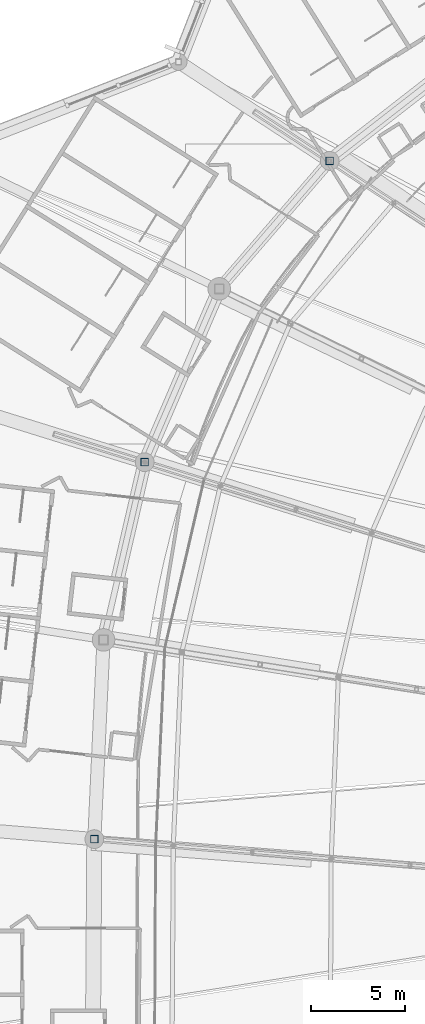
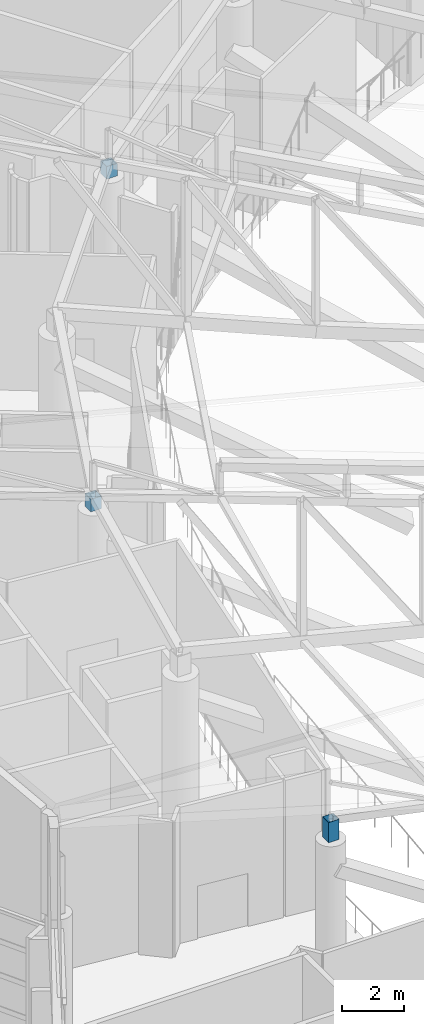
# One storey, part 217 of 344: 3 members.
"""IFC4 building model written with IfcOpenShell, lengths in metres."""

from ifc_helpers import new_model, si_unit, direction, frame, origin, origin_2d, place, context, subcontext, project, spatial, hollow_rectangle, extrude, material, material_profile, profile_set, type_object, element, save


model = new_model("IFC4")

# Units and contexts
model_context = context("Model", 3, precision=1e-05, world=origin(), true_north=direction((0.0, 1.0)))
body_context = subcontext(model_context, "Body", "Model", "MODEL_VIEW")
ifc_project = project(units=[si_unit("LENGTHUNIT", "METRE"), si_unit("AREAUNIT", "SQUARE_METRE"), si_unit("VOLUMEUNIT", "CUBIC_METRE"), si_unit("PLANEANGLEUNIT", "RADIAN"), si_unit("MASSUNIT", "GRAM", prefix="KILO")], contexts=[model_context])

# Site, building, storey
site_placement = place(None, origin())
site = spatial("IfcSite", under=ifc_project, at=site_placement, CompositionType="ELEMENT")
building_placement = place(site_placement, origin())
building = spatial("IfcBuilding", under=site, at=building_placement, Name="Meseta Stadium", CompositionType="ELEMENT")
storey_placement = place(building_placement, frame((0.0, 0.0, 24.0)))
storey = spatial("IfcBuildingStorey", under=building, at=storey_placement, Name="L04", CompositionType="ELEMENT", Elevation=24.0)

# Members
ifc_material = material(Name="Steel S355", Category="steel")
ifc_material_profile = material_profile(ifc_material, hollow_rectangle(XDim=0.39990234375, YDim=0.39990234375, WallThickness=0.010009765625, at=origin_2d()), Name="SHS 400x400x10")
ifc_profile_set = profile_set([ifc_material_profile], Name="Steel S355")
member_type = type_object("IfcMemberType", Name="SHS 400x400x10 pedestal", PredefinedType="POST", material=ifc_profile_set)
member_1_placement = place(storey_placement, frame((-72.31201171875, 79.091064453125, 6.0), z_axis=(0.0, 0.0, 1.0), x_axis=(1.0, 0.0, 0.0)))
element("IfcMember", 1, at=member_1_placement, inside=storey, type_object=member_type, Name="ROOF TRUSS RT-25 pedestal", PredefinedType="POST", context=body_context, shape_type="SweptSolid", body=[
    extrude(hollow_rectangle(XDim=0.39990234375, YDim=0.39990234375, WallThickness=0.010009765625, at=origin_2d()), origin(), (0.0, 0.0, 1.0), 0.501220703125),
])
member_2_placement = place(storey_placement, frame((-82.169189453125, 63.03369140625, 6.0), z_axis=(0.0, 0.0, 1.0), x_axis=(1.0, 0.0, 0.0)))
element("IfcMember", 2, at=member_2_placement, inside=storey, type_object=member_type, Name="ROOF TRUSS RT-27 pedestal", PredefinedType="POST", context=body_context, shape_type="SweptSolid", body=[
    extrude(hollow_rectangle(XDim=0.39990234375, YDim=0.39990234375, WallThickness=0.010009765625, at=origin_2d()), origin(), (0.0, 0.0, 1.0), 0.495849609375),
])
member_3_placement = place(storey_placement, frame((-84.85400390625, 42.948486328125, 6.0), z_axis=(0.0, 0.0, 1.0), x_axis=(1.0, 0.0, 0.0)))
element("IfcMember", 3, at=member_3_placement, inside=storey, type_object=member_type, Name="ROOF TRUSS RT-29 pedestal", PredefinedType="POST", context=body_context, shape_type="SweptSolid", body=[
    extrude(hollow_rectangle(XDim=0.39990234375, YDim=0.39990234375, WallThickness=0.010009765625, at=origin_2d()), origin(), (0.0, 0.0, 1.0), 0.800048828125),
])

save(model, "model.ifc")
